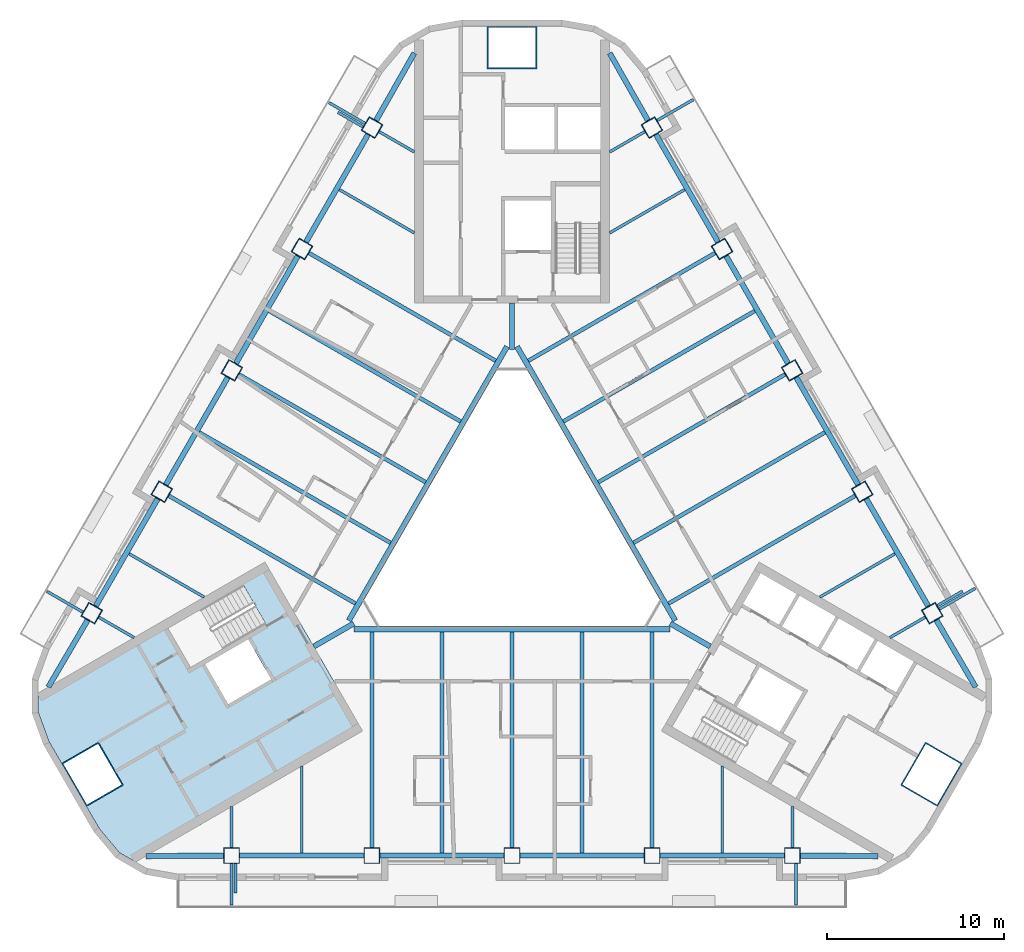
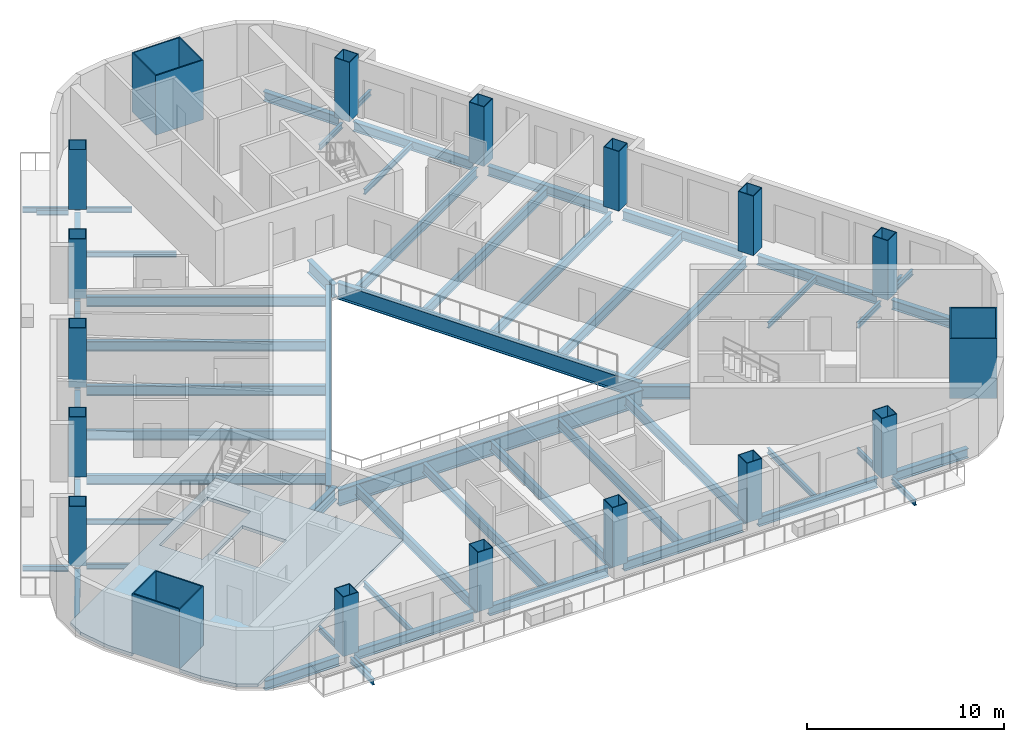
# One storey, part 1 of 13: 60 beams, 18 columns, 1 slab.
"""IFC4 building model written with IfcOpenShell, lengths in metres."""

from ifc_helpers import new_model, si_unit, direction, frame, origin, origin_2d, place, context, subcontext, project, spatial, polyline, rectangle, hollow_rectangle, i_section, outline, extrude, material, layer, layer_set, material_profile, profile_set, type_object, element, save


model = new_model("IFC4")

# Units and contexts
model_context = context("Model", 3, precision=1e-05, world=origin(), true_north=direction((0.0, 1.0)))
body_context = subcontext(model_context, "Body", "Model", "MODEL_VIEW")
ifc_project = project(units=[si_unit("LENGTHUNIT", "METRE"), si_unit("AREAUNIT", "SQUARE_METRE"), si_unit("VOLUMEUNIT", "CUBIC_METRE"), si_unit("PLANEANGLEUNIT", "RADIAN"), si_unit("MASSUNIT", "GRAM", prefix="KILO")], contexts=[model_context])

# Site, building, storey
site_placement = place(None, origin())
site = spatial("IfcSite", under=ifc_project, at=site_placement, CompositionType="ELEMENT")
building_placement = place(site_placement, origin())
building = spatial("IfcBuilding", under=site, at=building_placement, Name="Apuvela Tower Hotel", CompositionType="ELEMENT")
storey_placement = place(building_placement, frame((0.0, 0.0, 94.60009765625)))
storey = spatial("IfcBuildingStorey", under=building, at=storey_placement, Name="L21", CompositionType="ELEMENT", Elevation=94.60009765625)

# Columns
ifc_material_1 = material(Name="Steel S460", Category="steel")
ifc_material_profile_1 = material_profile(ifc_material_1, hollow_rectangle(XDim=2.800048828125, YDim=2.39990234375, WallThickness=0.070068359375, at=origin_2d()), Name="BOX 2800x2400x70")
ifc_material_2 = material(Name="Concrete C80/95", Category="concrete")
ifc_material_profile_2 = material_profile(ifc_material_2, rectangle(XDim=2.659912109375, YDim=2.260009765625, at=origin_2d()), Name="Concrete C80/95 infill")
ifc_profile_set_1 = profile_set([ifc_material_profile_1, ifc_material_profile_2], Name="Steel S460")
column_type_1 = type_object("IfcColumnType", Name="STR-MC mega column BOX 2800x2400x70", PredefinedType="COLUMN", material=ifc_profile_set_1)
for number, where, z_axis, x_axis, name in (
    (1, (0.0, 27.300048828125, 0.0), (0.0, 0.0, 1.0), (1.0, 0.0, 0.0), "Mega column MC2 N"),
    (2, (-23.642578125, -13.64990234375, 0.0), (0.0, 0.0, 1.0), (-0.5, 0.866025403784, 0.0), "Mega column MC2 SW"),
    (3, (23.642578125, -13.64990234375, 0.0), (0.0, 0.0, 1.0), (0.5, 0.866025403784, 0.0), "Mega column MC2 SE"),
):
    element("IfcColumn", number, at=place(storey_placement, frame(where, z_axis=z_axis, x_axis=x_axis)), inside=storey, type_object=column_type_1, Name=name, PredefinedType="COLUMN", context=body_context, shape_type="SweptSolid", body=[
        extrude(hollow_rectangle(XDim=2.800048828125, YDim=2.39990234375, WallThickness=0.070068359375, at=origin_2d()), origin(), (0.0, 0.0, 1.0), 3.699951171875),
    ])
ifc_material_profile_3 = material_profile(ifc_material_1, hollow_rectangle(XDim=0.89990234375, YDim=0.89990234375, WallThickness=0.0400390625, at=origin_2d()), Name="BOX 900x900x40")
ifc_material_profile_4 = material_profile(ifc_material_2, rectangle(XDim=0.820068359375, YDim=0.820068359375, at=origin_2d()), Name="Concrete C80/95 infill")
ifc_profile_set_2 = profile_set([ifc_material_profile_3, ifc_material_profile_4], Name="Steel S460")
column_type_2 = type_object("IfcColumnType", Name="STR-PC perimeter column BOX 900x900x40", PredefinedType="COLUMN", material=ifc_profile_set_2)
for number, where, z_axis, x_axis, name in (
    (4, (-15.800048828125, -18.22998046875, 0.0), (0.0, 0.0, 1.0), (-1.0, 0.0, 0.0), "Perimeter column C3 S1"),
    (5, (-7.89990234375, -18.22998046875, 0.0), (0.0, 0.0, 1.0), (-1.0, 0.0, 0.0), "Perimeter column C3 S2"),
    (6, (0.0, -18.22998046875, 0.0), (0.0, 0.0, 1.0), (-1.0, 0.0, 0.0), "Perimeter column C3 S3"),
    (7, (7.89990234375, -18.22998046875, 0.0), (0.0, 0.0, 1.0), (-1.0, 0.0, 0.0), "Perimeter column C3 S4"),
    (8, (15.800048828125, -18.22998046875, 0.0), (0.0, 0.0, 1.0), (-1.0, 0.0, 0.0), "Perimeter column C3 S5"),
    (9, (23.6875, -4.568115234375, 0.0), (0.0, 0.0, 1.0), (-0.5, 0.866025403784, 0.0), "Perimeter column C3 NE1"),
    (10, (19.737548828125, 2.2734375, 0.0), (0.0, 0.0, 1.0), (-0.5, 0.866025403784, 0.0), "Perimeter column C3 NE2"),
    (11, (15.78759765625, 9.114990234375, 0.0), (0.0, 0.0, 1.0), (-0.5, 0.866025403784, 0.0), "Perimeter column C3 NE3"),
    (12, (11.837646484375, 15.95654296875, 0.0), (0.0, 0.0, 1.0), (-0.5, 0.866025403784, 0.0), "Perimeter column C3 NE4"),
    (13, (7.8876953125, 22.798095703125, 0.0), (0.0, 0.0, 1.0), (-0.5, 0.866025403784, 0.0), "Perimeter column C3 NE5"),
    (14, (-7.8876953125, 22.798095703125, 0.0), (0.0, 0.0, 1.0), (0.5, 0.866025403784, 0.0), "Perimeter column C3 NW1"),
    (15, (-11.837646484375, 15.95654296875, 0.0), (0.0, 0.0, 1.0), (0.5, 0.866025403784, 0.0), "Perimeter column C3 NW2"),
    (16, (-15.78759765625, 9.114990234375, 0.0), (0.0, 0.0, 1.0), (0.5, 0.866025403784, 0.0), "Perimeter column C3 NW3"),
    (17, (-19.737548828125, 2.2734375, 0.0), (0.0, 0.0, 1.0), (0.5, 0.866025403784, 0.0), "Perimeter column C3 NW4"),
    (18, (-23.6875, -4.568115234375, 0.0), (0.0, 0.0, 1.0), (0.5, 0.866025403784, 0.0), "Perimeter column C3 NW5"),
):
    element("IfcColumn", number, at=place(storey_placement, frame(where, z_axis=z_axis, x_axis=x_axis)), inside=storey, type_object=column_type_2, Name=name, PredefinedType="COLUMN", context=body_context, shape_type="SweptSolid", body=[
        extrude(hollow_rectangle(XDim=0.89990234375, YDim=0.89990234375, WallThickness=0.0400390625, at=origin_2d()), origin(), (0.0, 0.0, 1.0), 3.699951171875),
    ])

# Beams
ifc_material_3 = material(Name="Steel S355", Category="steel")
ifc_material_profile_5 = material_profile(ifc_material_3, i_section(OverallWidth=0.159912109375, OverallDepth=0.330078125, WebThickness=0.007568359375, FlangeThickness=0.011474609375, at=origin_2d()), Name="IPE 330")
ifc_profile_set_3 = profile_set([ifc_material_profile_5], Name="Steel S355")
beam_type_1 = type_object("IfcBeamType", Name="ENV-BALCONY-BEAM-IPE330", PredefinedType="BEAM", material=ifc_profile_set_3)
beam_1_placement = place(storey_placement, frame((-15.800048828125, -18.679931640625, -0.315185546875), z_axis=(0.0, -1.0, 0.0), x_axis=(1.0, 0.0, 0.0)))
element("IfcBeam", 19, at=beam_1_placement, inside=storey, type_object=beam_type_1, Name="Balcony cantilever beam S1 L21", PredefinedType="BEAM", context=body_context, shape_type="SweptSolid", body=[
    extrude(i_section(OverallWidth=0.159912109375, OverallDepth=0.330078125, WebThickness=0.007568359375, FlangeThickness=0.011474609375, at=origin_2d()), origin(), (0.0, 0.0, 1.0), 2.35009765625),
])
beam_2_placement = place(storey_placement, frame((-15.580078125, -18.679931640625, -0.315185546875), z_axis=(0.0, -1.0, 0.0), x_axis=(1.0, 0.0, 0.0)))
element("IfcBeam", 20, at=beam_2_placement, inside=storey, type_object=beam_type_1, Name="Balcony cantilever beam S2 L21", PredefinedType="BEAM", context=body_context, shape_type="SweptSolid", body=[
    extrude(i_section(OverallWidth=0.159912109375, OverallDepth=0.330078125, WebThickness=0.007568359375, FlangeThickness=0.011474609375, at=origin_2d()), origin(), (0.0, 0.0, 1.0), 1.650146484375),
])
for number, where, z_axis, x_axis, name in (
    (21, (16.0, -18.679931640625, -0.315185546875), (0.0, -1.0, 0.0), (1.0, 0.0, 0.0), "Balcony cantilever beam S3 L21"),
    (22, (24.077392578125, -4.34326171875, -0.315185546875), (0.866016039709, 0.500016218704, 0.0), (-0.500016218704, 0.866016039709, 0.0), "Balcony cantilever beam NE1 L21"),
):
    element("IfcBeam", number, at=place(storey_placement, frame(where, z_axis=z_axis, x_axis=x_axis)), inside=storey, type_object=beam_type_1, Name=name, PredefinedType="BEAM", context=body_context, shape_type="SweptSolid", body=[
        extrude(i_section(OverallWidth=0.159912109375, OverallDepth=0.330078125, WebThickness=0.007568359375, FlangeThickness=0.011474609375, at=origin_2d()), origin(), (0.0, 0.0, 1.0), 2.35009765625),
    ])
beam_3_placement = place(storey_placement, frame((23.96728515625, -4.152587890625, -0.315185546875), z_axis=(0.866040211805, 0.499974350878, 0.0), x_axis=(-0.499974350878, 0.866040211805, 0.0)))
element("IfcBeam", 23, at=beam_3_placement, inside=storey, type_object=beam_type_1, Name="Balcony cantilever beam NE2 L21", PredefinedType="BEAM", context=body_context, shape_type="SweptSolid", body=[
    extrude(i_section(OverallWidth=0.159912109375, OverallDepth=0.330078125, WebThickness=0.007568359375, FlangeThickness=0.011474609375, at=origin_2d()), origin(), (0.0, 0.0, 1.0), 1.64990234375),
])
beam_4_placement = place(storey_placement, frame((8.177490234375, 23.1962890625, -0.315185546875), z_axis=(0.865990062348, 0.500061208168, 0.0), x_axis=(-0.500061208168, 0.865990062348, 0.0)))
element("IfcBeam", 24, at=beam_4_placement, inside=storey, type_object=beam_type_1, Name="Balcony cantilever beam NE3 L21", PredefinedType="BEAM", context=body_context, shape_type="SweptSolid", body=[
    extrude(i_section(OverallWidth=0.159912109375, OverallDepth=0.330078125, WebThickness=0.007568359375, FlangeThickness=0.011474609375, at=origin_2d()), origin(), (0.0, 0.0, 1.0), 2.349853515625),
])
beam_5_placement = place(storey_placement, frame((-8.27734375, 23.023193359375, -0.315185546875), z_axis=(-0.866016039709, 0.500016218704, 0.0), x_axis=(-0.500016218704, -0.866016039709, 0.0)))
element("IfcBeam", 25, at=beam_5_placement, inside=storey, type_object=beam_type_1, Name="Balcony cantilever beam NW1 L21", PredefinedType="BEAM", context=body_context, shape_type="SweptSolid", body=[
    extrude(i_section(OverallWidth=0.159912109375, OverallDepth=0.330078125, WebThickness=0.007568359375, FlangeThickness=0.011474609375, at=origin_2d()), origin(), (0.0, 0.0, 1.0), 2.35009765625),
])
beam_6_placement = place(storey_placement, frame((-8.387451171875, 22.832763671875, -0.315185546875), z_axis=(-0.866040211805, 0.499974350878, 0.0), x_axis=(-0.499974350878, -0.866040211805, 0.0)))
element("IfcBeam", 26, at=beam_6_placement, inside=storey, type_object=beam_type_1, Name="Balcony cantilever beam NW2 L21", PredefinedType="BEAM", context=body_context, shape_type="SweptSolid", body=[
    extrude(i_section(OverallWidth=0.159912109375, OverallDepth=0.330078125, WebThickness=0.007568359375, FlangeThickness=0.011474609375, at=origin_2d()), origin(), (0.0, 0.0, 1.0), 1.64990234375),
])
beam_7_placement = place(storey_placement, frame((-24.177490234375, -4.516357421875, -0.315185546875), z_axis=(-0.865990062348, 0.500061208168, 0.0), x_axis=(-0.500061208168, -0.865990062348, 0.0)))
element("IfcBeam", 27, at=beam_7_placement, inside=storey, type_object=beam_type_1, Name="Balcony cantilever beam NW3 L21", PredefinedType="BEAM", context=body_context, shape_type="SweptSolid", body=[
    extrude(i_section(OverallWidth=0.159912109375, OverallDepth=0.330078125, WebThickness=0.007568359375, FlangeThickness=0.011474609375, at=origin_2d()), origin(), (0.0, 0.0, 1.0), 2.349853515625),
])
ifc_material_profile_6 = material_profile(ifc_material_3, i_section(OverallWidth=0.159912109375, OverallDepth=0.330078125, WebThickness=0.007568359375, FlangeThickness=0.011474609375, at=origin_2d()), Name="IPE 330")
ifc_profile_set_4 = profile_set([ifc_material_profile_6], Name="Steel S355")
beam_type_2 = type_object("IfcBeamType", Name="STR-B floor beam IPE 330", PredefinedType="BEAM", material=ifc_profile_set_4)
beam_8_placement = place(storey_placement, frame((23.2978515625, -4.793212890625, -0.315185546875), z_axis=(-0.866000531106, -0.500043078269, 0.0), x_axis=(0.500043078269, -0.866000531106, 0.0)))
element("IfcBeam", 28, at=beam_8_placement, inside=storey, type_object=beam_type_2, Name="Floor beam B1 NE1", PredefinedType="BEAM", context=body_context, shape_type="SweptSolid", body=[
    extrude(i_section(OverallWidth=0.159912109375, OverallDepth=0.330078125, WebThickness=0.007568359375, FlangeThickness=0.011474609375, at=origin_2d()), origin(), (0.0, 0.0, 1.0), 2.306884765625),
])
for number, where, z_axis, x_axis, name in (
    (29, (21.582763671875, -1.222412109375, -0.315185546875), (-0.866015056278, -0.500017921979, 0.0), (0.500017921979, -0.866015056278, 0.0), "Floor beam B1 NE2"),
    (30, (9.732666015625, 19.302490234375, -0.315185546875), (-0.866015056278, -0.500017921979, 0.0), (0.500017921979, -0.866015056278, 0.0), "Floor beam B1 NE8"),
):
    element("IfcBeam", number, at=place(storey_placement, frame(where, z_axis=z_axis, x_axis=x_axis)), inside=storey, type_object=beam_type_2, Name=name, PredefinedType="BEAM", context=body_context, shape_type="SweptSolid", body=[
        extrude(i_section(OverallWidth=0.159912109375, OverallDepth=0.330078125, WebThickness=0.007568359375, FlangeThickness=0.011474609375, at=origin_2d()), origin(), (0.0, 0.0, 1.0), 4.887451171875),
    ])
for number, where, z_axis, x_axis, name in (
    (31, (7.497802734375, 22.5732421875, -0.315185546875), (-0.866000531106, -0.500043078269, 0.0), (0.500043078269, -0.866000531106, 0.0), "Floor beam B1 NE9"),
    (32, (-7.497802734375, 22.5732421875, -0.315185546875), (0.866000531106, -0.500043078269, 0.0), (0.500043078269, 0.866000531106, 0.0), "Floor beam B1 NW1"),
):
    element("IfcBeam", number, at=place(storey_placement, frame(where, z_axis=z_axis, x_axis=x_axis)), inside=storey, type_object=beam_type_2, Name=name, PredefinedType="BEAM", context=body_context, shape_type="SweptSolid", body=[
        extrude(i_section(OverallWidth=0.159912109375, OverallDepth=0.330078125, WebThickness=0.007568359375, FlangeThickness=0.011474609375, at=origin_2d()), origin(), (0.0, 0.0, 1.0), 2.306884765625),
    ])
for number, where, z_axis, x_axis, name in (
    (33, (-9.732666015625, 19.302490234375, -0.315185546875), (0.866015056278, -0.500017921979, 0.0), (0.500017921979, 0.866015056278, 0.0), "Floor beam B1 NW2"),
    (34, (-21.582763671875, -1.222412109375, -0.315185546875), (0.866015056278, -0.500017921979, 0.0), (0.500017921979, 0.866015056278, 0.0), "Floor beam B1 NW8"),
):
    element("IfcBeam", number, at=place(storey_placement, frame(where, z_axis=z_axis, x_axis=x_axis)), inside=storey, type_object=beam_type_2, Name=name, PredefinedType="BEAM", context=body_context, shape_type="SweptSolid", body=[
        extrude(i_section(OverallWidth=0.159912109375, OverallDepth=0.330078125, WebThickness=0.007568359375, FlangeThickness=0.011474609375, at=origin_2d()), origin(), (0.0, 0.0, 1.0), 4.887451171875),
    ])
beam_9_placement = place(storey_placement, frame((-23.2978515625, -4.793212890625, -0.315185546875), z_axis=(0.866000531106, -0.500043078269, 0.0), x_axis=(0.500043078269, 0.866000531106, 0.0)))
element("IfcBeam", 35, at=beam_9_placement, inside=storey, type_object=beam_type_2, Name="Floor beam B1 NW9", PredefinedType="BEAM", context=body_context, shape_type="SweptSolid", body=[
    extrude(i_section(OverallWidth=0.159912109375, OverallDepth=0.330078125, WebThickness=0.007568359375, FlangeThickness=0.011474609375, at=origin_2d()), origin(), (0.0, 0.0, 1.0), 2.306884765625),
])
beam_10_placement = place(storey_placement, frame((-15.800048828125, -17.780029296875, -0.315185546875), z_axis=(0.0, 1.0, 0.0), x_axis=(-1.0, 0.0, 0.0)))
element("IfcBeam", 36, at=beam_10_placement, inside=storey, type_object=beam_type_2, Name="Floor beam B1 S1", PredefinedType="BEAM", context=body_context, shape_type="SweptSolid", body=[
    extrude(i_section(OverallWidth=0.159912109375, OverallDepth=0.330078125, WebThickness=0.007568359375, FlangeThickness=0.011474609375, at=origin_2d()), origin(), (0.0, 0.0, 1.0), 2.30712890625),
])
for number, where, z_axis, x_axis, name in (
    (37, (-11.85009765625, -18.080078125, -0.315185546875), (0.0, 1.0, 0.0), (-1.0, 0.0, 0.0), "Floor beam B1 S2"),
    (38, (11.85009765625, -18.080078125, -0.315185546875), (0.0, 1.0, 0.0), (-1.0, 0.0, 0.0), "Floor beam B1 S8"),
):
    element("IfcBeam", number, at=place(storey_placement, frame(where, z_axis=z_axis, x_axis=x_axis)), inside=storey, type_object=beam_type_2, Name=name, PredefinedType="BEAM", context=body_context, shape_type="SweptSolid", body=[
        extrude(i_section(OverallWidth=0.159912109375, OverallDepth=0.330078125, WebThickness=0.007568359375, FlangeThickness=0.011474609375, at=origin_2d()), origin(), (0.0, 0.0, 1.0), 4.8876953125),
    ])
beam_11_placement = place(storey_placement, frame((15.800048828125, -17.780029296875, -0.315185546875), z_axis=(0.0, 1.0, 0.0), x_axis=(-1.0, 0.0, 0.0)))
element("IfcBeam", 39, at=beam_11_placement, inside=storey, type_object=beam_type_2, Name="Floor beam B1 S9", PredefinedType="BEAM", context=body_context, shape_type="SweptSolid", body=[
    extrude(i_section(OverallWidth=0.159912109375, OverallDepth=0.330078125, WebThickness=0.007568359375, FlangeThickness=0.011474609375, at=origin_2d()), origin(), (0.0, 0.0, 1.0), 2.30712890625),
])
ifc_material_profile_7 = material_profile(ifc_material_3, i_section(OverallWidth=0.219970703125, OverallDepth=0.60009765625, WebThickness=0.011962890625, FlangeThickness=0.01904296875, at=origin_2d()), Name="IPE 600")
ifc_profile_set_5 = profile_set([ifc_material_profile_7], Name="Steel S355")
beam_type_3 = type_object("IfcBeamType", Name="STR-B floor beam IPE 600", PredefinedType="BEAM", material=ifc_profile_set_5)
beam_12_placement = place(storey_placement, frame((19.347900390625, 2.04833984375, -0.4501953125), z_axis=(-0.866028751965, -0.499994200737, 0.0), x_axis=(0.499994200737, -0.866028751965, 0.0)))
element("IfcBeam", 40, at=beam_12_placement, inside=storey, type_object=beam_type_3, Name="Floor beam B8 NE3", PredefinedType="BEAM", context=body_context, shape_type="SweptSolid", body=[
    extrude(i_section(OverallWidth=0.219970703125, OverallDepth=0.60009765625, WebThickness=0.011962890625, FlangeThickness=0.01904296875, at=origin_2d()), origin(), (0.0, 0.0, 1.0), 12.157958984375),
])
beam_13_placement = place(storey_placement, frame((17.6328125, 5.619140625, -0.4501953125), z_axis=(-0.866027636335, -0.499996133089, 0.0), x_axis=(0.499996133089, -0.866027636335, 0.0)))
element("IfcBeam", 41, at=beam_13_placement, inside=storey, type_object=beam_type_3, Name="Floor beam B8 NE4", PredefinedType="BEAM", context=body_context, shape_type="SweptSolid", body=[
    extrude(i_section(OverallWidth=0.219970703125, OverallDepth=0.60009765625, WebThickness=0.011962890625, FlangeThickness=0.01904296875, at=origin_2d()), origin(), (0.0, 0.0, 1.0), 12.4580078125),
])
beam_14_placement = place(storey_placement, frame((15.39794921875, 8.889892578125, -0.4501953125), z_axis=(-0.866028751965, -0.499994200737, 0.0), x_axis=(0.499994200737, -0.866028751965, 0.0)))
element("IfcBeam", 42, at=beam_14_placement, inside=storey, type_object=beam_type_3, Name="Floor beam B8 NE5", PredefinedType="BEAM", context=body_context, shape_type="SweptSolid", body=[
    extrude(i_section(OverallWidth=0.219970703125, OverallDepth=0.60009765625, WebThickness=0.011962890625, FlangeThickness=0.01904296875, at=origin_2d()), origin(), (0.0, 0.0, 1.0), 12.157958984375),
])
beam_15_placement = place(storey_placement, frame((13.6826171875, 12.460693359375, -0.4501953125), z_axis=(-0.866022737053, -0.500004618886, 0.0), x_axis=(0.500004618886, -0.866022737053, 0.0)))
element("IfcBeam", 43, at=beam_15_placement, inside=storey, type_object=beam_type_3, Name="Floor beam B8 NE6", PredefinedType="BEAM", context=body_context, shape_type="SweptSolid", body=[
    extrude(i_section(OverallWidth=0.219970703125, OverallDepth=0.60009765625, WebThickness=0.011962890625, FlangeThickness=0.01904296875, at=origin_2d()), origin(), (0.0, 0.0, 1.0), 12.4580078125),
])
for number, where, z_axis, x_axis, name in (
    (44, (11.447998046875, 15.731689453125, -0.4501953125), (-0.866025076934, -0.500000566121, 0.0), (0.500000566121, -0.866025076934, 0.0), "Floor beam B8 NE7"),
    (45, (-11.447998046875, 15.731689453125, -0.4501953125), (0.866025076934, -0.500000566121, 0.0), (0.500000566121, 0.866025076934, 0.0), "Floor beam B8 NW3"),
):
    element("IfcBeam", number, at=place(storey_placement, frame(where, z_axis=z_axis, x_axis=x_axis)), inside=storey, type_object=beam_type_3, Name=name, PredefinedType="BEAM", context=body_context, shape_type="SweptSolid", body=[
        extrude(i_section(OverallWidth=0.219970703125, OverallDepth=0.60009765625, WebThickness=0.011962890625, FlangeThickness=0.01904296875, at=origin_2d()), origin(), (0.0, 0.0, 1.0), 12.158203125),
    ])
beam_16_placement = place(storey_placement, frame((-13.6826171875, 12.460693359375, -0.4501953125), z_axis=(0.866022737053, -0.500004618886, 0.0), x_axis=(0.500004618886, 0.866022737053, 0.0)))
element("IfcBeam", 46, at=beam_16_placement, inside=storey, type_object=beam_type_3, Name="Floor beam B8 NW4", PredefinedType="BEAM", context=body_context, shape_type="SweptSolid", body=[
    extrude(i_section(OverallWidth=0.219970703125, OverallDepth=0.60009765625, WebThickness=0.011962890625, FlangeThickness=0.01904296875, at=origin_2d()), origin(), (0.0, 0.0, 1.0), 12.4580078125),
])
beam_17_placement = place(storey_placement, frame((-15.39794921875, 8.889892578125, -0.4501953125), z_axis=(0.866028751965, -0.499994200737, 0.0), x_axis=(0.499994200737, 0.866028751965, 0.0)))
element("IfcBeam", 47, at=beam_17_placement, inside=storey, type_object=beam_type_3, Name="Floor beam B8 NW5", PredefinedType="BEAM", context=body_context, shape_type="SweptSolid", body=[
    extrude(i_section(OverallWidth=0.219970703125, OverallDepth=0.60009765625, WebThickness=0.011962890625, FlangeThickness=0.01904296875, at=origin_2d()), origin(), (0.0, 0.0, 1.0), 12.157958984375),
])
beam_18_placement = place(storey_placement, frame((-17.6328125, 5.619140625, -0.4501953125), z_axis=(0.866027636335, -0.499996133089, 0.0), x_axis=(0.499996133089, 0.866027636335, 0.0)))
element("IfcBeam", 48, at=beam_18_placement, inside=storey, type_object=beam_type_3, Name="Floor beam B8 NW6", PredefinedType="BEAM", context=body_context, shape_type="SweptSolid", body=[
    extrude(i_section(OverallWidth=0.219970703125, OverallDepth=0.60009765625, WebThickness=0.011962890625, FlangeThickness=0.01904296875, at=origin_2d()), origin(), (0.0, 0.0, 1.0), 12.4580078125),
])
for number, where, z_axis, x_axis, name in (
    (49, (-19.347900390625, 2.04833984375, -0.4501953125), (0.866028751965, -0.499994200737, 0.0), (0.499994200737, 0.866028751965, 0.0), "Floor beam B8 NW7"),
    (50, (-7.89990234375, -17.780029296875, -0.4501953125), (0.0, 1.0, 0.0), (-1.0, 0.0, 0.0), "Floor beam B8 S3"),
):
    element("IfcBeam", number, at=place(storey_placement, frame(where, z_axis=z_axis, x_axis=x_axis)), inside=storey, type_object=beam_type_3, Name=name, PredefinedType="BEAM", context=body_context, shape_type="SweptSolid", body=[
        extrude(i_section(OverallWidth=0.219970703125, OverallDepth=0.60009765625, WebThickness=0.011962890625, FlangeThickness=0.01904296875, at=origin_2d()), origin(), (0.0, 0.0, 1.0), 12.157958984375),
    ])
beam_19_placement = place(storey_placement, frame((-3.949951171875, -18.080078125, -0.4501953125), z_axis=(0.0, 1.0, 0.0), x_axis=(-1.0, 0.0, 0.0)))
element("IfcBeam", 51, at=beam_19_placement, inside=storey, type_object=beam_type_3, Name="Floor beam B8 S4", PredefinedType="BEAM", context=body_context, shape_type="SweptSolid", body=[
    extrude(i_section(OverallWidth=0.219970703125, OverallDepth=0.60009765625, WebThickness=0.011962890625, FlangeThickness=0.01904296875, at=origin_2d()), origin(), (0.0, 0.0, 1.0), 12.4580078125),
])
beam_20_placement = place(storey_placement, frame((0.0, -17.780029296875, -0.4501953125), z_axis=(0.0, 1.0, 0.0), x_axis=(-1.0, 0.0, 0.0)))
element("IfcBeam", 52, at=beam_20_placement, inside=storey, type_object=beam_type_3, Name="Floor beam B8 S5", PredefinedType="BEAM", context=body_context, shape_type="SweptSolid", body=[
    extrude(i_section(OverallWidth=0.219970703125, OverallDepth=0.60009765625, WebThickness=0.011962890625, FlangeThickness=0.01904296875, at=origin_2d()), origin(), (0.0, 0.0, 1.0), 12.157958984375),
])
beam_21_placement = place(storey_placement, frame((3.949951171875, -18.080078125, -0.4501953125), z_axis=(0.0, 1.0, 0.0), x_axis=(-1.0, 0.0, 0.0)))
element("IfcBeam", 53, at=beam_21_placement, inside=storey, type_object=beam_type_3, Name="Floor beam B8 S6", PredefinedType="BEAM", context=body_context, shape_type="SweptSolid", body=[
    extrude(i_section(OverallWidth=0.219970703125, OverallDepth=0.60009765625, WebThickness=0.011962890625, FlangeThickness=0.01904296875, at=origin_2d()), origin(), (0.0, 0.0, 1.0), 12.4580078125),
])
beam_22_placement = place(storey_placement, frame((7.89990234375, -17.780029296875, -0.4501953125), z_axis=(0.0, 1.0, 0.0), x_axis=(-1.0, 0.0, 0.0)))
element("IfcBeam", 54, at=beam_22_placement, inside=storey, type_object=beam_type_3, Name="Floor beam B8 S7", PredefinedType="BEAM", context=body_context, shape_type="SweptSolid", body=[
    extrude(i_section(OverallWidth=0.219970703125, OverallDepth=0.60009765625, WebThickness=0.011962890625, FlangeThickness=0.01904296875, at=origin_2d()), origin(), (0.0, 0.0, 1.0), 12.157958984375),
])
ifc_material_profile_8 = material_profile(ifc_material_3, i_section(OverallWidth=0.302001953125, OverallDepth=1.008056640625, WebThickness=0.02099609375, FlangeThickness=0.0400390625, at=origin_2d()), Name="HE 1000 M")
ifc_profile_set_6 = profile_set([ifc_material_profile_8], Name="Steel S355")
beam_type_4 = type_object("IfcBeamType", Name="STR-G atrium ring girder HE 1000 M", PredefinedType="BEAM", material=ifc_profile_set_6)
for number, where, z_axis, x_axis, name in (
    (55, (-0.28076171875, 10.455810546875, -0.654052734375), (-0.500000611842, -0.866025050537, 0.0), (0.866025050537, -0.500000611842, 0.0), "Atrium ring girder G1 N-SW"),
    (56, (-8.91455078125, -5.470947265625, -0.654052734375), (1.0, 0.0, 0.0), (0.0, 1.0, 0.0), "Atrium ring girder G1 SW-SE"),
    (57, (9.1953125, -4.984619140625, -0.654052734375), (-0.500000611842, 0.866025050537, 0.0), (-0.866025050537, -0.500000611842, 0.0), "Atrium ring girder G1 SE-N"),
):
    element("IfcBeam", number, at=place(storey_placement, frame(where, z_axis=z_axis, x_axis=x_axis)), inside=storey, type_object=beam_type_4, Name=name, PredefinedType="BEAM", context=body_context, shape_type="SweptSolid", body=[
        extrude(i_section(OverallWidth=0.302001953125, OverallDepth=1.008056640625, WebThickness=0.02099609375, FlangeThickness=0.0400390625, at=origin_2d()), origin(), (0.0, 0.0, 1.0), 17.8291015625),
    ])
ifc_material_profile_9 = material_profile(ifc_material_3, i_section(OverallWidth=0.300048828125, OverallDepth=0.800048828125, WebThickness=0.017578125, FlangeThickness=0.032958984375, at=origin_2d()), Name="HE 800 B")
ifc_profile_set_7 = profile_set([ifc_material_profile_9], Name="Steel S355")
beam_type_5 = type_object("IfcBeamType", Name="STR-GT core tie beam HE 800 B", PredefinedType="BEAM", material=ifc_profile_set_7)
for number, where, z_axis, x_axis, name in (
    (58, (0.0, 12.89990234375, -0.550048828125), (0.0, -1.0, 0.0), (1.0, 0.0, 0.0), "Core tie beam GT1 N"),
    (59, (-11.171630859375, -6.449951171875, -0.550048828125), (0.865997922154, 0.500047596559, 0.0), (-0.500047596559, 0.865997922154, 0.0), "Core tie beam GT1 SW"),
    (60, (11.171630859375, -6.449951171875, -0.550048828125), (-0.865997922154, 0.500047596559, 0.0), (-0.500047596559, -0.865997922154, 0.0), "Core tie beam GT1 SE"),
):
    element("IfcBeam", number, at=place(storey_placement, frame(where, z_axis=z_axis, x_axis=x_axis)), inside=storey, type_object=beam_type_5, Name=name, PredefinedType="BEAM", context=body_context, shape_type="SweptSolid", body=[
        extrude(i_section(OverallWidth=0.300048828125, OverallDepth=0.800048828125, WebThickness=0.017578125, FlangeThickness=0.032958984375, at=origin_2d()), origin(), (0.0, 0.0, 1.0), 2.599853515625),
    ])
ifc_material_profile_10 = material_profile(ifc_material_3, i_section(OverallWidth=0.300048828125, OverallDepth=0.590087890625, WebThickness=0.012939453125, FlangeThickness=0.02490234375, at=origin_2d()), Name="HE 600 A")
ifc_profile_set_8 = profile_set([ifc_material_profile_10], Name="Steel S355")
beam_type_6 = type_object("IfcBeamType", Name="STR-SB spandrel beam HE 600 A", PredefinedType="SPANDREL", material=ifc_profile_set_8)
for number, where, z_axis, x_axis, name in (
    (61, (-15.35009765625, -18.22998046875, -0.445068359375), (1.0, 0.0, 0.0), (0.0, 1.0, 0.0), "Spandrel beam SB2 S1"),
    (62, (-7.449951171875, -18.22998046875, -0.445068359375), (1.0, 0.0, 0.0), (0.0, 1.0, 0.0), "Spandrel beam SB2 S2"),
    (63, (0.449951171875, -18.22998046875, -0.445068359375), (1.0, 0.0, 0.0), (0.0, 1.0, 0.0), "Spandrel beam SB2 S3"),
    (64, (8.35009765625, -18.22998046875, -0.445068359375), (1.0, 0.0, 0.0), (0.0, 1.0, 0.0), "Spandrel beam SB2 S4"),
    (65, (23.462646484375, -4.178466796875, -0.445068359375), (-0.499995173006, 0.866028190633, 0.0), (-0.866028190633, -0.499995173006, 0.0), "Spandrel beam SB2 NE1"),
    (66, (19.5126953125, 2.6630859375, -0.445068359375), (-0.499995173006, 0.866028190633, 0.0), (-0.866028190633, -0.499995173006, 0.0), "Spandrel beam SB2 NE2"),
    (67, (15.5625, 9.504638671875, -0.445068359375), (-0.499995173006, 0.866028190633, 0.0), (-0.866028190633, -0.499995173006, 0.0), "Spandrel beam SB2 NE3"),
    (68, (11.612548828125, 16.34619140625, -0.445068359375), (-0.499995173006, 0.866028190633, 0.0), (-0.866028190633, -0.499995173006, 0.0), "Spandrel beam SB2 NE4"),
    (69, (-8.112548828125, 22.408447265625, -0.445068359375), (-0.499995173006, -0.866028190633, 0.0), (0.866028190633, -0.499995173006, 0.0), "Spandrel beam SB2 NW1"),
    (70, (-12.0625, 15.56689453125, -0.445068359375), (-0.499995173006, -0.866028190633, 0.0), (0.866028190633, -0.499995173006, 0.0), "Spandrel beam SB2 NW2"),
    (71, (-16.0126953125, 8.725341796875, -0.445068359375), (-0.499995173006, -0.866028190633, 0.0), (0.866028190633, -0.499995173006, 0.0), "Spandrel beam SB2 NW3"),
    (72, (-19.962646484375, 1.8837890625, -0.445068359375), (-0.499995173006, -0.866028190633, 0.0), (0.866028190633, -0.499995173006, 0.0), "Spandrel beam SB2 NW4"),
):
    element("IfcBeam", number, at=place(storey_placement, frame(where, z_axis=z_axis, x_axis=x_axis)), inside=storey, type_object=beam_type_6, Name=name, PredefinedType="SPANDREL", context=body_context, shape_type="SweptSolid", body=[
        extrude(i_section(OverallWidth=0.300048828125, OverallDepth=0.590087890625, WebThickness=0.012939453125, FlangeThickness=0.02490234375, at=origin_2d()), origin(), (0.0, 0.0, 1.0), 7.0),
    ])
for number, where, z_axis, x_axis, name in (
    (73, (-16.25, -18.233154296875, -0.445068359375), (-0.999976528586, -0.006851443461, 0.0), (0.006851443461, -0.999976528586, 0.0), "Spandrel beam SB2 S1-SW"),
    (74, (16.25, -18.233154296875, -0.445068359375), (0.999976528586, -0.006851443461, 0.0), (0.006851443461, 0.999976528586, 0.0), "Spandrel beam SB2 S5-SE"),
    (75, (23.915283203125, -4.956298828125, -0.445068359375), (0.505951068275, -0.862562181244, 0.0), (0.862562181244, 0.505951068275, 0.0), "Spandrel beam SB2 NE1-SE"),
    (76, (7.665283203125, 23.189453125, -0.445068359375), (-0.494043860968, 0.869436980718, 0.0), (-0.869436980718, -0.494043860968, 0.0), "Spandrel beam SB2 NE5-N"),
    (77, (-7.665283203125, 23.189453125, -0.445068359375), (0.494043860968, 0.869436980718, 0.0), (-0.869436980718, 0.494043860968, 0.0), "Spandrel beam SB2 NW1-N"),
    (78, (-23.915283203125, -4.956298828125, -0.445068359375), (-0.505951068275, -0.862562181244, 0.0), (0.862562181244, -0.505951068275, 0.0), "Spandrel beam SB2 NW5-SW"),
):
    element("IfcBeam", number, at=place(storey_placement, frame(where, z_axis=z_axis, x_axis=x_axis)), inside=storey, type_object=beam_type_6, Name=name, PredefinedType="SPANDREL", context=body_context, shape_type="SweptSolid", body=[
        extrude(i_section(OverallWidth=0.300048828125, OverallDepth=0.590087890625, WebThickness=0.012939453125, FlangeThickness=0.02490234375, at=origin_2d()), origin(), (0.0, 0.0, 1.0), 4.3828125),
    ])

# Slab
ifc_material_4 = material(Name="Concrete C50/60", Category="concrete")
ifc_layer = layer(ifc_material_4, 0.199951171875)
ifc_layer_set = layer_set([ifc_layer], Name="COR-FLOOR-200")
slab_type = type_object("IfcSlabType", Name="COR-FLOOR-200", PredefinedType="FLOOR", material=ifc_layer_set)
slab_placement = place(storey_placement, frame((0.0, 0.0, -0.2001953125)))
element("IfcSlab", 79, at=slab_placement, inside=storey, type_object=slab_type, Name="Core floor SW", PredefinedType="FLOOR", context=body_context, shape_type="SweptSolid", body=[
    extrude(outline(polyline([(-26.711181640625, -9.07080078125), (-26.711181640625, -10.123291015625), (-26.109375, -11.77734375), (-25.381591796875, -13.03759765625), (-23.30322265625, -11.837646484375), (-21.9033203125, -14.262451171875), (-23.981689453125, -15.46240234375), (-23.254150390625, -16.72265625), (-22.122802734375, -18.071044921875), (-21.211181640625, -18.59716796875), (-8.421630859375, -11.213134765625), (-13.921630859375, -1.68701171875), (-26.711181640625, -9.07080078125)]), holes=[polyline([(-13.874267578125, -5.18115234375), (-18.112548828125, -7.628173828125), (-19.387451171875, -5.419921875), (-15.149169921875, -2.972900390625), (-13.874267578125, -5.18115234375)]), polyline([(-13.56982421875, -8.29638671875), (-15.99462890625, -9.6962890625), (-17.294677734375, -7.444580078125), (-14.869873046875, -6.044677734375), (-13.56982421875, -8.29638671875)])]), origin(), (0.0, 0.0, 1.0), 0.2001953125),
])

save(model, "model.ifc")
